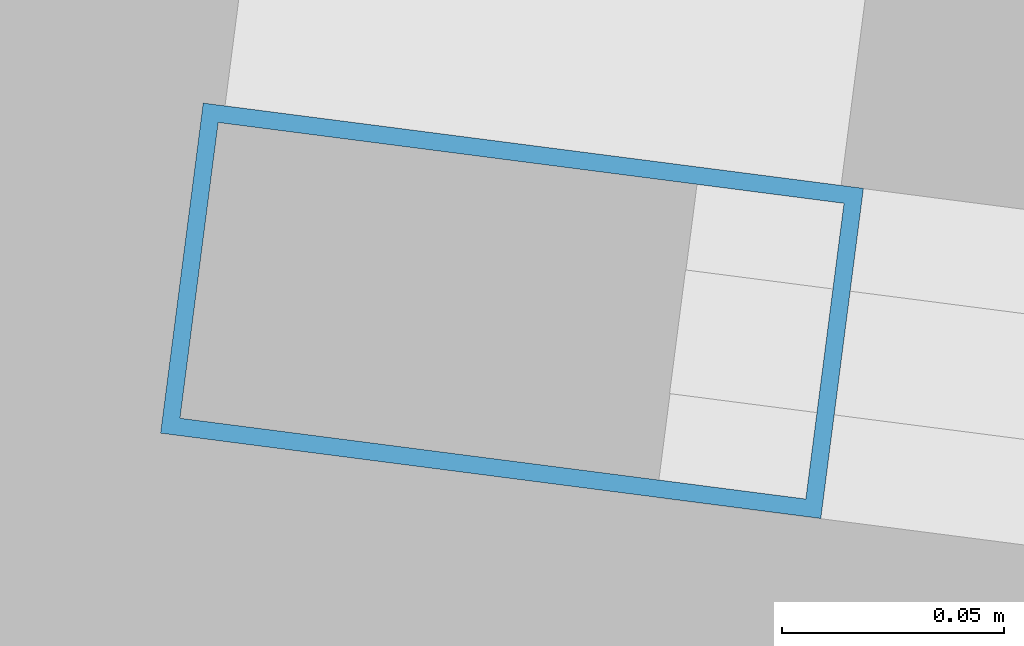
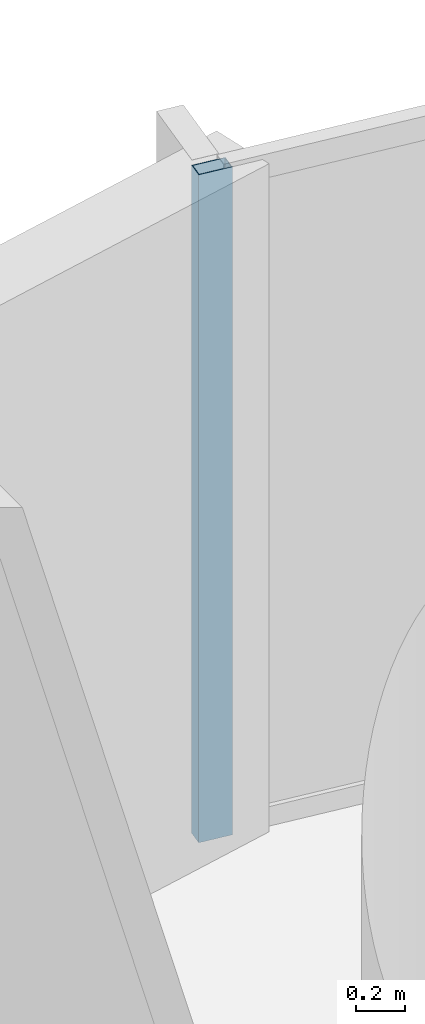
# One storey, part 20 of 32: 1 member, 1 element without a shape of its own.
"""IFC4 building model written with IfcOpenShell, lengths in metres."""

from ifc_helpers import new_model, si_unit, direction, frame, origin, origin_2d, place, context, subcontext, project, spatial, hollow_rectangle, extrude, material, layer, layer_set, material_profile, profile_set, type_object, element, aggregate, save


model = new_model("IFC4")

# Units and contexts
model_context = context("Model", 3, precision=1e-05, world=origin(), true_north=direction((0.0, 1.0)))
body_context = subcontext(model_context, "Body", "Model", "MODEL_VIEW")
ifc_project = project(units=[si_unit("LENGTHUNIT", "METRE"), si_unit("AREAUNIT", "SQUARE_METRE"), si_unit("VOLUMEUNIT", "CUBIC_METRE"), si_unit("PLANEANGLEUNIT", "RADIAN"), si_unit("MASSUNIT", "GRAM", prefix="KILO")], contexts=[model_context])

# Site, building, storey
site_placement = place(None, origin())
site = spatial("IfcSite", under=ifc_project, at=site_placement, CompositionType="ELEMENT")
building_placement = place(site_placement, origin())
building = spatial("IfcBuilding", under=site, at=building_placement, Name="Kazevale Care Tower and Concert Hall", CompositionType="ELEMENT")
storey_placement = place(building_placement, frame((0.0, 0.0, 34.800048828125)))
storey = spatial("IfcBuildingStorey", under=building, at=storey_placement, Name="L08", CompositionType="ELEMENT", Elevation=34.800048828125)

# Curtain wall, member
ifc_material_1 = material(Name="Aluminium 6063-T6 and Low-E Glass", Category="aluminium")
ifc_layer = layer(ifc_material_1, 0.179931640625)
ifc_layer_set = layer_set([ifc_layer], Name="Aluminium 6063-T6 and Low-E Glass")
curtain_wall_type = type_object("IfcCurtainWallType", Name="Convex Recessed Sunroom Curtain Wall CW-3", PredefinedType="NOTDEFINED", material=ifc_layer_set)
curtain_wall_placement = place(storey_placement, origin())
curtain_wall = element("IfcCurtainWall", 1, at=curtain_wall_placement, inside=storey, type_object=curtain_wall_type, Name="cw:L08:f16", PredefinedType="NOTDEFINED")
ifc_material_2 = material(Name="Aluminium 6063-T6", Category="aluminium")
ifc_material_profile = material_profile(ifc_material_2, hollow_rectangle(XDim=0.074951171875, YDim=0.14990234375, WallThickness=0.00390625, at=origin_2d()), Name="ALU75x150x4")
ifc_profile_set = profile_set([ifc_material_profile], Name="Aluminium 6063-T6")
member_type = type_object("IfcMemberType", Name="CW-3 Mullion ALU75x150x4", PredefinedType="MULLION", material=ifc_profile_set)
member_placement = place(storey_placement, frame((45.0771484375, 65.417236328125, 0.0), z_axis=(0.0, 0.0, 1.0), x_axis=(0.128086196538, 0.991763039368, 0.0)))
member = element("IfcMember", 2, at=member_placement, type_object=member_type, Name="CW-3 mullion 1", PredefinedType="MULLION", context=body_context, shape_type="SweptSolid", body=[
    extrude(hollow_rectangle(XDim=0.074951171875, YDim=0.14990234375, WallThickness=0.00390625, at=origin_2d()), origin(), (0.0, 0.0, 1.0), 3.35986328125),
])
aggregate(curtain_wall, [member])

save(model, "model.ifc")
